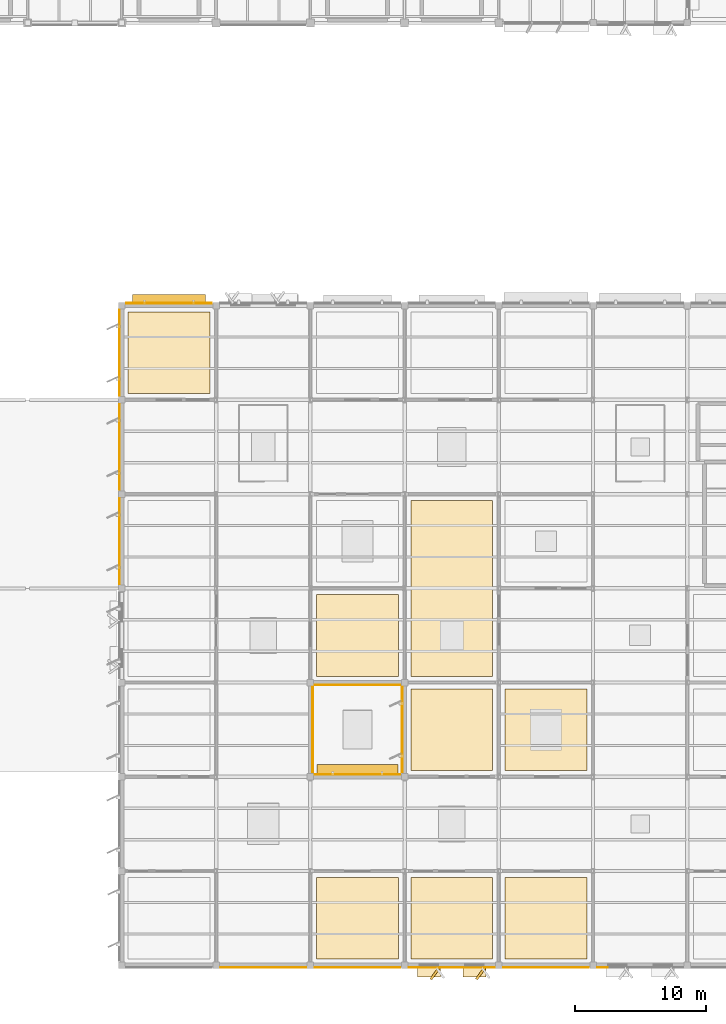
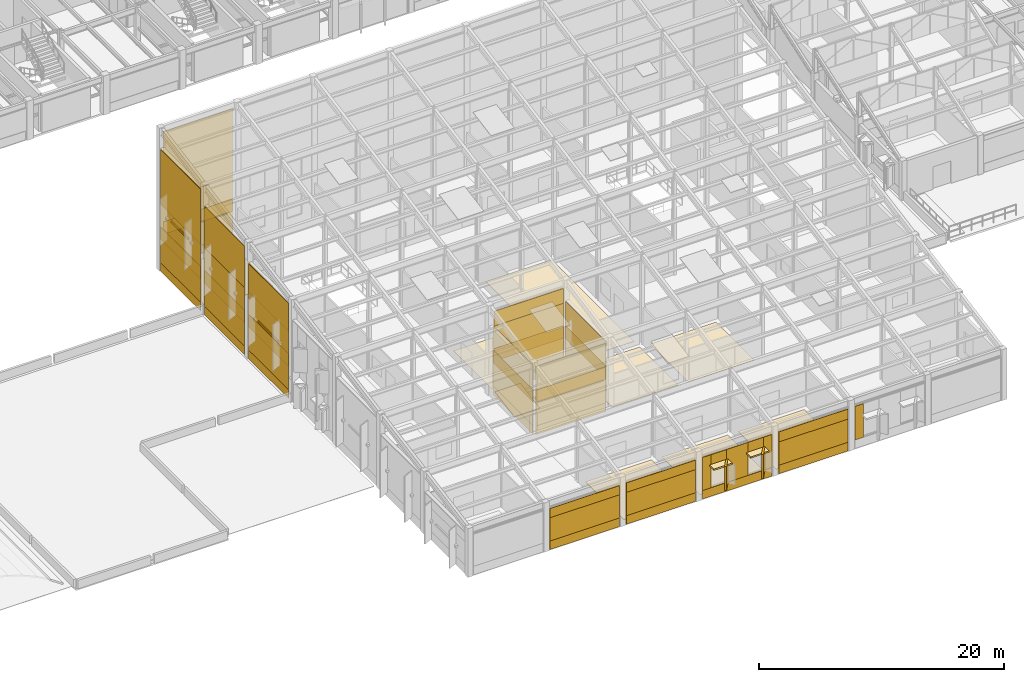
# One storey, part 73 of 82: 56 coverings, 4 shading devices.
"""IFC4 building model written with IfcOpenShell, lengths in metres."""

from ifc_helpers import new_model, si_unit, direction, frame, frame_2d, origin, origin_2d, place, context, subcontext, project, spatial, polyline, rectangle, outline, extrude, material, layer, layer_set, type_object, element, save


model = new_model("IFC4")

# Units and contexts
model_context = context("Model", 3, precision=1e-05, world=origin(), true_north=direction((0.0, 1.0)))
body_context = subcontext(model_context, "Body", "Model", "MODEL_VIEW")
ifc_project = project(units=[si_unit("LENGTHUNIT", "METRE"), si_unit("AREAUNIT", "SQUARE_METRE"), si_unit("VOLUMEUNIT", "CUBIC_METRE"), si_unit("PLANEANGLEUNIT", "RADIAN"), si_unit("MASSUNIT", "GRAM", prefix="KILO")], contexts=[model_context])

# Site, building, storey
site_placement = place(None, origin())
site = spatial("IfcSite", under=ifc_project, at=site_placement, CompositionType="ELEMENT")
building_placement = place(site_placement, origin())
building = spatial("IfcBuilding", under=site, at=building_placement, Name="Sillqori Civic Hall", CompositionType="ELEMENT")
storey_placement = place(building_placement, frame((0.0, 0.0, 14.10009765625)))
storey = spatial("IfcBuildingStorey", under=building, at=storey_placement, Name="L04", CompositionType="ELEMENT", Elevation=14.10009765625)

# Coverings
ifc_material_1 = material(Name="Cochabamba Honed Limestone Cladding", Category="masonry")
ifc_layer_1 = layer(ifc_material_1, 0.044921875)
ifc_layer_set_1 = layer_set([ifc_layer_1], Name="Cochabamba Honed Limestone Cladding")
covering_type_1 = type_object("IfcCoveringType", Name="COV-CLAD-LIME", PredefinedType="CLADDING", material=ifc_layer_set_1)
covering_1_placement = place(storey_placement, frame((64.6201171875, 36.330078125, 0.039794921875), z_axis=(0.0, 0.0, 1.0), x_axis=(0.0, 1.0, 0.0)))
element("IfcCovering", 1, at=covering_1_placement, inside=storey, type_object=covering_type_1, Name="L04 limestone spandrel cladding L04-09-05-W", PredefinedType="CLADDING", context=body_context, shape_type="SweptSolid", body=[
    extrude(rectangle(XDim=6.5400390625, YDim=0.044921875, at=frame_2d((3.27001953125, 0.0))), origin(), (0.0, 0.0, 1.0), 0.860107421875),
])
covering_2_placement = place(storey_placement, frame((64.6201171875, 36.330078125, 3.219970703125), z_axis=(0.0, 0.0, 1.0), x_axis=(0.0, 1.0, 0.0)))
element("IfcCovering", 2, at=covering_2_placement, inside=storey, type_object=covering_type_1, Name="L04 limestone mid-spandrel cladding L04-09-05-W", PredefinedType="CLADDING", context=body_context, shape_type="SweptSolid", body=[
    extrude(rectangle(XDim=6.5400390625, YDim=0.044921875, at=frame_2d((3.27001953125, 0.0))), origin(), (0.0, 0.0, 1.0), 1.260009765625),
])
covering_3_placement = place(storey_placement, frame((64.6201171875, 36.330078125, 6.719970703125), z_axis=(0.0, 0.0, 1.0), x_axis=(0.0, 1.0, 0.0)))
element("IfcCovering", 3, at=covering_3_placement, inside=storey, type_object=covering_type_1, Name="L04 limestone frieze cladding L04-09-05-W", PredefinedType="CLADDING", context=body_context, shape_type="SweptSolid", body=[
    extrude(rectangle(XDim=6.5400390625, YDim=0.044921875, at=frame_2d((3.27001953125, 0.0))), origin(), (0.0, 0.0, 1.0), 2.8046875),
])
covering_4_placement = place(storey_placement, frame((64.6201171875, 36.330078125, 0.89990234375), z_axis=(0.0, 0.0, 1.0), x_axis=(0.0, 1.0, 0.0)))
element("IfcCovering", 4, at=covering_4_placement, inside=storey, type_object=covering_type_1, Name="L04 Wedge Hall limestone pier cladding L04-09-05-W.1", PredefinedType="CLADDING", context=body_context, shape_type="SweptSolid", body=[
    extrude(rectangle(XDim=6.5400390625, YDim=0.044921875, at=frame_2d((3.27001953125, 0.0))), origin(), (0.0, 0.0, 1.0), 8.624755859375),
])
covering_5_placement = place(storey_placement, frame((64.6201171875, 43.530029296875, 0.039794921875), z_axis=(0.0, 0.0, 1.0), x_axis=(0.0, 1.0, 0.0)))
element("IfcCovering", 5, at=covering_5_placement, inside=storey, type_object=covering_type_1, Name="L04 limestone spandrel cladding L04-09-06-W", PredefinedType="CLADDING", context=body_context, shape_type="SweptSolid", body=[
    extrude(rectangle(XDim=6.5400390625, YDim=0.044921875, at=frame_2d((3.27001953125, 0.0))), origin(), (0.0, 0.0, 1.0), 0.860107421875),
])
covering_6_placement = place(storey_placement, frame((64.6201171875, 43.530029296875, 3.219970703125), z_axis=(0.0, 0.0, 1.0), x_axis=(0.0, 1.0, 0.0)))
element("IfcCovering", 6, at=covering_6_placement, inside=storey, type_object=covering_type_1, Name="L04 limestone mid-spandrel cladding L04-09-06-W", PredefinedType="CLADDING", context=body_context, shape_type="SweptSolid", body=[
    extrude(rectangle(XDim=6.5400390625, YDim=0.044921875, at=frame_2d((3.27001953125, 0.0))), origin(), (0.0, 0.0, 1.0), 1.260009765625),
])
covering_7_placement = place(storey_placement, frame((64.6201171875, 43.530029296875, 6.719970703125), z_axis=(0.0, 0.0, 1.0), x_axis=(0.0, 1.0, 0.0)))
element("IfcCovering", 7, at=covering_7_placement, inside=storey, type_object=covering_type_1, Name="L04 limestone frieze cladding L04-09-06-W", PredefinedType="CLADDING", context=body_context, shape_type="SweptSolid", body=[
    extrude(rectangle(XDim=6.5400390625, YDim=0.044921875, at=frame_2d((3.27001953125, 0.0))), origin(), (0.0, 0.0, 1.0), 4.1474609375),
])
covering_8_placement = place(storey_placement, frame((64.6201171875, 43.530029296875, 0.89990234375), z_axis=(0.0, 0.0, 1.0), x_axis=(0.0, 1.0, 0.0)))
element("IfcCovering", 8, at=covering_8_placement, inside=storey, type_object=covering_type_1, Name="L04 Wedge Hall limestone pier cladding L04-09-06-W.1", PredefinedType="CLADDING", context=body_context, shape_type="SweptSolid", body=[
    extrude(rectangle(XDim=6.5400390625, YDim=0.044921875, at=frame_2d((3.27001953125, 0.0))), origin(), (0.0, 0.0, 1.0), 9.967529296875),
])
covering_9_placement = place(storey_placement, frame((65.1298828125, 57.780029296875, 0.039794921875), z_axis=(0.0, 0.0, 1.0), x_axis=(1.0, 0.0, 0.0)))
element("IfcCovering", 9, at=covering_9_placement, inside=storey, type_object=covering_type_1, Name="L04 limestone spandrel cladding L04-09-07-N", PredefinedType="CLADDING", context=body_context, shape_type="SweptSolid", body=[
    extrude(rectangle(XDim=6.5400390625, YDim=0.044921875, at=frame_2d((3.27001953125, 0.0))), origin(), (0.0, 0.0, 1.0), 0.860107421875),
])
covering_10_placement = place(storey_placement, frame((65.1298828125, 57.780029296875, 3.219970703125), z_axis=(0.0, 0.0, 1.0), x_axis=(1.0, 0.0, 0.0)))
element("IfcCovering", 10, at=covering_10_placement, inside=storey, type_object=covering_type_1, Name="L04 limestone mid-spandrel cladding L04-09-07-N", PredefinedType="CLADDING", context=body_context, shape_type="SweptSolid", body=[
    extrude(rectangle(XDim=6.5400390625, YDim=0.044921875, at=frame_2d((3.27001953125, 0.0))), origin(), (0.0, 0.0, 1.0), 1.260009765625),
])
covering_11_placement = place(storey_placement, frame((65.1298828125, 57.780029296875, 6.719970703125), z_axis=(0.0, 0.0, 1.0), x_axis=(1.0, 0.0, 0.0)))
element("IfcCovering", 11, at=covering_11_placement, inside=storey, type_object=covering_type_1, Name="L04 limestone frieze cladding L04-09-07-N", PredefinedType="CLADDING", context=body_context, shape_type="SweptSolid", body=[
    extrude(rectangle(XDim=6.5400390625, YDim=0.044921875, at=frame_2d((3.27001953125, 0.0))), origin(), (0.0, 0.0, 1.0), 6.7890625),
])
covering_12_placement = place(storey_placement, frame((65.1298828125, 57.780029296875, 0.89990234375), z_axis=(0.0, 0.0, 1.0), x_axis=(1.0, 0.0, 0.0)))
element("IfcCovering", 12, at=covering_12_placement, inside=storey, type_object=covering_type_1, Name="L04 Wedge Hall limestone pier cladding L04-09-07-N.1", PredefinedType="CLADDING", context=body_context, shape_type="SweptSolid", body=[
    extrude(rectangle(XDim=6.5400390625, YDim=0.044921875, at=frame_2d((3.27001953125, 0.0))), origin(), (0.0, 0.0, 1.0), 12.609130859375),
])
covering_13_placement = place(storey_placement, frame((64.6201171875, 50.72998046875, 0.039794921875), z_axis=(0.0, 0.0, 1.0), x_axis=(0.0, 1.0, 0.0)))
element("IfcCovering", 13, at=covering_13_placement, inside=storey, type_object=covering_type_1, Name="L04 limestone spandrel cladding L04-09-07-W", PredefinedType="CLADDING", context=body_context, shape_type="SweptSolid", body=[
    extrude(rectangle(XDim=6.5400390625, YDim=0.044921875, at=frame_2d((3.27001953125, 0.0))), origin(), (0.0, 0.0, 1.0), 0.860107421875),
])
covering_14_placement = place(storey_placement, frame((64.6201171875, 50.72998046875, 3.219970703125), z_axis=(0.0, 0.0, 1.0), x_axis=(0.0, 1.0, 0.0)))
element("IfcCovering", 14, at=covering_14_placement, inside=storey, type_object=covering_type_1, Name="L04 limestone mid-spandrel cladding L04-09-07-W", PredefinedType="CLADDING", context=body_context, shape_type="SweptSolid", body=[
    extrude(rectangle(XDim=6.5400390625, YDim=0.044921875, at=frame_2d((3.27001953125, 0.0))), origin(), (0.0, 0.0, 1.0), 1.260009765625),
])
covering_15_placement = place(storey_placement, frame((64.6201171875, 50.72998046875, 6.719970703125), z_axis=(0.0, 0.0, 1.0), x_axis=(0.0, 1.0, 0.0)))
element("IfcCovering", 15, at=covering_15_placement, inside=storey, type_object=covering_type_1, Name="L04 limestone frieze cladding L04-09-07-W", PredefinedType="CLADDING", context=body_context, shape_type="SweptSolid", body=[
    extrude(rectangle(XDim=6.5400390625, YDim=0.044921875, at=frame_2d((3.27001953125, 0.0))), origin(), (0.0, 0.0, 1.0), 5.490478515625),
])
covering_16_placement = place(storey_placement, frame((64.6201171875, 50.72998046875, 0.89990234375), z_axis=(0.0, 0.0, 1.0), x_axis=(0.0, 1.0, 0.0)))
element("IfcCovering", 16, at=covering_16_placement, inside=storey, type_object=covering_type_1, Name="L04 Wedge Hall limestone pier cladding L04-09-07-W.1", PredefinedType="CLADDING", context=body_context, shape_type="SweptSolid", body=[
    extrude(rectangle(XDim=6.5400390625, YDim=0.044921875, at=frame_2d((3.27001953125, 0.0))), origin(), (0.0, 0.0, 1.0), 11.310546875),
])
covering_17_placement = place(storey_placement, frame((78.8701171875, 7.02001953125, 0.039794921875), z_axis=(0.0, 0.0, 1.0), x_axis=(-1.0, 0.0, 0.0)))
element("IfcCovering", 17, at=covering_17_placement, inside=storey, type_object=covering_type_1, Name="L04 limestone spandrel cladding L04-10-01-S", PredefinedType="CLADDING", context=body_context, shape_type="SweptSolid", body=[
    extrude(rectangle(XDim=6.5400390625, YDim=0.044921875, at=frame_2d((3.27001953125, 0.0))), origin(), (0.0, 0.0, 1.0), 0.860107421875),
])
covering_18_placement = place(storey_placement, frame((78.8701171875, 7.02001953125, 3.219970703125), z_axis=(0.0, 0.0, 1.0), x_axis=(-1.0, 0.0, 0.0)))
element("IfcCovering", 18, at=covering_18_placement, inside=storey, type_object=covering_type_1, Name="L04 limestone frieze cladding L04-10-01-S", PredefinedType="CLADDING", context=body_context, shape_type="SweptSolid", body=[
    extrude(rectangle(XDim=6.5400390625, YDim=0.044921875, at=frame_2d((3.27001953125, 0.0))), origin(), (0.0, 0.0, 1.0), 0.917724609375),
])
covering_19_placement = place(storey_placement, frame((78.8701171875, 7.02001953125, 0.89990234375), z_axis=(0.0, 0.0, 1.0), x_axis=(-1.0, 0.0, 0.0)))
element("IfcCovering", 19, at=covering_19_placement, inside=storey, type_object=covering_type_1, Name="L04 Wedge Hall limestone pier cladding L04-10-01-S.1", PredefinedType="CLADDING", context=body_context, shape_type="SweptSolid", body=[
    extrude(rectangle(XDim=6.5400390625, YDim=0.044921875, at=frame_2d((3.27001953125, 0.0))), origin(), (0.0, 0.0, 1.0), 3.23779296875),
])
covering_20_placement = place(storey_placement, frame((79.3798828125, 28.469970703125, 0.039794921875), z_axis=(0.0, 0.0, 1.0), x_axis=(0.0, -1.0, 0.0)))
element("IfcCovering", 20, at=covering_20_placement, inside=storey, type_object=covering_type_1, Name="L04 limestone spandrel cladding L04-10-03-E", PredefinedType="CLADDING", context=body_context, shape_type="SweptSolid", body=[
    extrude(rectangle(XDim=6.5400390625, YDim=0.044921875, at=frame_2d((3.27001953125, 0.0))), origin(), (0.0, 0.0, 1.0), 0.860107421875),
])
covering_21_placement = place(storey_placement, frame((79.3798828125, 28.469970703125, 3.219970703125), z_axis=(0.0, 0.0, 1.0), x_axis=(0.0, -1.0, 0.0)))
element("IfcCovering", 21, at=covering_21_placement, inside=storey, type_object=covering_type_1, Name="L04 limestone mid-spandrel cladding L04-10-03-E", PredefinedType="CLADDING", context=body_context, shape_type="SweptSolid", body=[
    extrude(rectangle(XDim=6.5400390625, YDim=0.044921875, at=frame_2d((3.27001953125, 0.0))), origin(), (0.0, 0.0, 1.0), 1.260009765625),
])
covering_22_placement = place(storey_placement, frame((79.3798828125, 28.469970703125, 0.89990234375), z_axis=(0.0, 0.0, 1.0), x_axis=(0.0, -1.0, 0.0)))
element("IfcCovering", 22, at=covering_22_placement, inside=storey, type_object=covering_type_1, Name="L04 Wedge Hall limestone pier cladding L04-10-03-E.1", PredefinedType="CLADDING", context=body_context, shape_type="SweptSolid", body=[
    extrude(rectangle(XDim=6.5400390625, YDim=0.044921875, at=frame_2d((3.27001953125, 0.0))), origin(), (0.0, 0.0, 1.0), 5.99609375),
])
covering_23_placement = place(storey_placement, frame((86.070068359375, 7.02001953125, 0.039794921875), z_axis=(0.0, 0.0, 1.0), x_axis=(-1.0, 0.0, 0.0)))
element("IfcCovering", 23, at=covering_23_placement, inside=storey, type_object=covering_type_1, Name="L04 limestone spandrel cladding L04-11-01-S", PredefinedType="CLADDING", context=body_context, shape_type="SweptSolid", body=[
    extrude(rectangle(XDim=6.5400390625, YDim=0.044921875, at=frame_2d((3.27001953125, 0.0))), origin(), (0.0, 0.0, 1.0), 0.860107421875),
])
covering_24_placement = place(storey_placement, frame((86.070068359375, 7.02001953125, 3.219970703125), z_axis=(0.0, 0.0, 1.0), x_axis=(-1.0, 0.0, 0.0)))
element("IfcCovering", 24, at=covering_24_placement, inside=storey, type_object=covering_type_1, Name="L04 limestone frieze cladding L04-11-01-S", PredefinedType="CLADDING", context=body_context, shape_type="SweptSolid", body=[
    extrude(rectangle(XDim=6.5400390625, YDim=0.044921875, at=frame_2d((3.27001953125, 0.0))), origin(), (0.0, 0.0, 1.0), 0.9462890625),
])
covering_25_placement = place(storey_placement, frame((86.070068359375, 7.02001953125, 0.89990234375), z_axis=(0.0, 0.0, 1.0), x_axis=(-1.0, 0.0, 0.0)))
element("IfcCovering", 25, at=covering_25_placement, inside=storey, type_object=covering_type_1, Name="L04 Wedge Hall limestone pier cladding L04-11-01-S.1", PredefinedType="CLADDING", context=body_context, shape_type="SweptSolid", body=[
    extrude(rectangle(XDim=6.5400390625, YDim=0.044921875, at=frame_2d((3.27001953125, 0.0))), origin(), (0.0, 0.0, 1.0), 3.266357421875),
])
covering_26_placement = place(storey_placement, frame((79.530029296875, 21.780029296875, 0.039794921875), z_axis=(0.0, 0.0, 1.0), x_axis=(1.0, 0.0, 0.0)))
element("IfcCovering", 26, at=covering_26_placement, inside=storey, type_object=covering_type_1, Name="L04 limestone spandrel cladding L04-11-02-N", PredefinedType="CLADDING", context=body_context, shape_type="SweptSolid", body=[
    extrude(rectangle(XDim=6.5400390625, YDim=0.044921875, at=frame_2d((3.27001953125, 0.0))), origin(), (0.0, 0.0, 1.0), 0.860107421875),
])
covering_27_placement = place(storey_placement, frame((79.530029296875, 21.780029296875, 3.219970703125), z_axis=(0.0, 0.0, 1.0), x_axis=(1.0, 0.0, 0.0)))
element("IfcCovering", 27, at=covering_27_placement, inside=storey, type_object=covering_type_1, Name="L04 limestone mid-spandrel cladding L04-11-02-N", PredefinedType="CLADDING", context=body_context, shape_type="SweptSolid", body=[
    extrude(rectangle(XDim=6.5400390625, YDim=0.044921875, at=frame_2d((3.27001953125, 0.0))), origin(), (0.0, 0.0, 1.0), 1.260009765625),
])
covering_28_placement = place(storey_placement, frame((79.530029296875, 21.780029296875, 0.89990234375), z_axis=(0.0, 0.0, 1.0), x_axis=(1.0, 0.0, 0.0)))
element("IfcCovering", 28, at=covering_28_placement, inside=storey, type_object=covering_type_1, Name="L04 Wedge Hall limestone pier cladding L04-11-02-N.1", PredefinedType="CLADDING", context=body_context, shape_type="SweptSolid", body=[
    extrude(rectangle(XDim=6.5400390625, YDim=0.044921875, at=frame_2d((3.27001953125, 0.0))), origin(), (0.0, 0.0, 1.0), 5.951904296875),
])
covering_29_placement = place(storey_placement, frame((86.070068359375, 28.6201171875, 0.039794921875), z_axis=(0.0, 0.0, 1.0), x_axis=(-1.0, 0.0, 0.0)))
element("IfcCovering", 29, at=covering_29_placement, inside=storey, type_object=covering_type_1, Name="L04 limestone spandrel cladding L04-11-04-S", PredefinedType="CLADDING", context=body_context, shape_type="SweptSolid", body=[
    extrude(rectangle(XDim=6.5400390625, YDim=0.044921875, at=frame_2d((3.27001953125, 0.0))), origin(), (0.0, 0.0, 1.0), 0.860107421875),
])
covering_30_placement = place(storey_placement, frame((86.070068359375, 28.6201171875, 3.219970703125), z_axis=(0.0, 0.0, 1.0), x_axis=(-1.0, 0.0, 0.0)))
element("IfcCovering", 30, at=covering_30_placement, inside=storey, type_object=covering_type_1, Name="L04 limestone mid-spandrel cladding L04-11-04-S", PredefinedType="CLADDING", context=body_context, shape_type="SweptSolid", body=[
    extrude(rectangle(XDim=6.5400390625, YDim=0.044921875, at=frame_2d((3.27001953125, 0.0))), origin(), (0.0, 0.0, 1.0), 1.260009765625),
])
covering_31_placement = place(storey_placement, frame((86.070068359375, 28.6201171875, 6.719970703125), z_axis=(0.0, 0.0, 1.0), x_axis=(-1.0, 0.0, 0.0)))
element("IfcCovering", 31, at=covering_31_placement, inside=storey, type_object=covering_type_1, Name="L04 limestone frieze cladding L04-11-04-S", PredefinedType="CLADDING", context=body_context, shape_type="SweptSolid", body=[
    extrude(rectangle(XDim=6.5400390625, YDim=0.044921875, at=frame_2d((3.27001953125, 0.0))), origin(), (0.0, 0.0, 1.0), 1.474853515625),
])
covering_32_placement = place(storey_placement, frame((86.070068359375, 28.6201171875, 0.89990234375), z_axis=(0.0, 0.0, 1.0), x_axis=(-1.0, 0.0, 0.0)))
element("IfcCovering", 32, at=covering_32_placement, inside=storey, type_object=covering_type_1, Name="L04 Wedge Hall limestone pier cladding L04-11-04-S.1", PredefinedType="CLADDING", context=body_context, shape_type="SweptSolid", body=[
    extrude(rectangle(XDim=6.5400390625, YDim=0.044921875, at=frame_2d((3.27001953125, 0.0))), origin(), (0.0, 0.0, 1.0), 7.294921875),
])
covering_33_placement = place(storey_placement, frame((93.27001953125, 7.02001953125, 0.039794921875), z_axis=(0.0, 0.0, 1.0), x_axis=(-1.0, 0.0, 0.0)))
element("IfcCovering", 33, at=covering_33_placement, inside=storey, type_object=covering_type_1, Name="L04 limestone spandrel cladding L04-12-01-S", PredefinedType="CLADDING", context=body_context, shape_type="SweptSolid", body=[
    extrude(rectangle(XDim=6.5400390625, YDim=0.044921875, at=frame_2d((3.27001953125, 0.0))), origin(), (0.0, 0.0, 1.0), 0.860107421875),
])
covering_34_placement = place(storey_placement, frame((93.27001953125, 7.02001953125, 3.219970703125), z_axis=(0.0, 0.0, 1.0), x_axis=(-1.0, 0.0, 0.0)))
element("IfcCovering", 34, at=covering_34_placement, inside=storey, type_object=covering_type_1, Name="L04 limestone frieze cladding L04-12-01-S", PredefinedType="CLADDING", context=body_context, shape_type="SweptSolid", body=[
    extrude(rectangle(XDim=6.5400390625, YDim=0.044921875, at=frame_2d((3.27001953125, 0.0))), origin(), (0.0, 0.0, 1.0), 0.974853515625),
])
covering_35_placement = place(storey_placement, frame((93.27001953125, 7.02001953125, 0.89990234375), z_axis=(0.0, 0.0, 1.0), x_axis=(-1.0, 0.0, 0.0)))
element("IfcCovering", 35, at=covering_35_placement, inside=storey, type_object=covering_type_1, Name="L04 Wedge Hall limestone pier cladding L04-12-01-S.1", PredefinedType="CLADDING", context=body_context, shape_type="SweptSolid", body=[
    extrude(rectangle(XDim=0.7880859375, YDim=0.044921875, at=frame_2d((0.39404296875, 0.0))), origin(), (0.0, 0.0, 1.0), 3.294921875),
])
covering_36_placement = place(storey_placement, frame((91.001953125, 7.02001953125, 0.89990234375), z_axis=(0.0, 0.0, 1.0), x_axis=(-1.0, 0.0, 0.0)))
element("IfcCovering", 36, at=covering_36_placement, inside=storey, type_object=covering_type_1, Name="L04 Wedge Hall limestone pier cladding L04-12-01-S.2", PredefinedType="CLADDING", context=body_context, shape_type="SweptSolid", body=[
    extrude(rectangle(XDim=2.00390625, YDim=0.044921875, at=frame_2d((1.001953125, 0.0))), origin(), (0.0, 0.0, 1.0), 3.294921875),
])
covering_37_placement = place(storey_placement, frame((87.51806640625, 7.02001953125, 0.89990234375), z_axis=(0.0, 0.0, 1.0), x_axis=(-1.0, 0.0, 0.0)))
element("IfcCovering", 37, at=covering_37_placement, inside=storey, type_object=covering_type_1, Name="L04 Wedge Hall limestone pier cladding L04-12-01-S.3", PredefinedType="CLADDING", context=body_context, shape_type="SweptSolid", body=[
    extrude(rectangle(XDim=0.7880859375, YDim=0.044921875, at=frame_2d((0.39404296875, 0.0))), origin(), (0.0, 0.0, 1.0), 3.294921875),
])
covering_38_placement = place(storey_placement, frame((92.56201171875, 7.06005859375, 0.829833984375), z_axis=(0.0, 0.0, 1.0), x_axis=(-0.587805596445, -0.809002213092, 0.0)))
element("IfcCovering", 38, at=covering_38_placement, inside=storey, type_object=covering_type_1, Name="Sawtooth limestone angled reveal cheek L04-12-01-S.1", PredefinedType="CLADDING", context=body_context, shape_type="SweptSolid", body=[
    extrude(rectangle(XDim=1.150146484375, YDim=0.179931640625, at=frame_2d((0.5751953125, 0.0))), origin(), (0.0, 0.0, 1.0), 2.400146484375),
])
covering_39_placement = place(storey_placement, frame((92.6220703125, 6.679931640625, 3.08984375), z_axis=(0.0, 0.0, 1.0), x_axis=(-1.0, 0.0, 0.0)))
element("IfcCovering", 39, at=covering_39_placement, inside=storey, type_object=covering_type_1, Name="Sawtooth limestone window hood L04-12-01-S.1", PredefinedType="CLADDING", context=body_context, shape_type="SweptSolid", body=[
    extrude(rectangle(XDim=1.760009765625, YDim=0.780029296875, at=frame_2d((0.8798828125, 0.0))), origin(), (0.0, 0.0, 1.0), 0.14013671875),
])
covering_40_placement = place(storey_placement, frame((89.077880859375, 7.06005859375, 0.829833984375), z_axis=(0.0, 0.0, 1.0), x_axis=(-0.587666635914, -0.809103160934, 0.0)))
element("IfcCovering", 40, at=covering_40_placement, inside=storey, type_object=covering_type_1, Name="Sawtooth limestone angled reveal cheek L04-12-01-S.2", PredefinedType="CLADDING", context=body_context, shape_type="SweptSolid", body=[
    extrude(rectangle(XDim=1.14990234375, YDim=0.179931640625, at=frame_2d((0.574951171875, 0.0))), origin(), (0.0, 0.0, 1.0), 2.400146484375),
])
covering_41_placement = place(storey_placement, frame((89.137939453125, 6.679931640625, 3.08984375), z_axis=(0.0, 0.0, 1.0), x_axis=(-1.0, 0.0, 0.0)))
element("IfcCovering", 41, at=covering_41_placement, inside=storey, type_object=covering_type_1, Name="Sawtooth limestone window hood L04-12-01-S.2", PredefinedType="CLADDING", context=body_context, shape_type="SweptSolid", body=[
    extrude(rectangle(XDim=1.760009765625, YDim=0.780029296875, at=frame_2d((0.8798828125, 0.0))), origin(), (0.0, 0.0, 1.0), 0.14013671875),
])
covering_42_placement = place(storey_placement, frame((86.219970703125, 21.929931640625, 0.039794921875), z_axis=(0.0, 0.0, 1.0), x_axis=(0.0, 1.0, 0.0)))
element("IfcCovering", 42, at=covering_42_placement, inside=storey, type_object=covering_type_1, Name="L04 limestone spandrel cladding L04-12-03-W", PredefinedType="CLADDING", context=body_context, shape_type="SweptSolid", body=[
    extrude(rectangle(XDim=6.5400390625, YDim=0.044921875, at=frame_2d((3.27001953125, 0.0))), origin(), (0.0, 0.0, 1.0), 0.860107421875),
])
covering_43_placement = place(storey_placement, frame((86.219970703125, 21.929931640625, 3.219970703125), z_axis=(0.0, 0.0, 1.0), x_axis=(0.0, 1.0, 0.0)))
element("IfcCovering", 43, at=covering_43_placement, inside=storey, type_object=covering_type_1, Name="L04 limestone mid-spandrel cladding L04-12-03-W", PredefinedType="CLADDING", context=body_context, shape_type="SweptSolid", body=[
    extrude(rectangle(XDim=6.5400390625, YDim=0.044921875, at=frame_2d((3.27001953125, 0.0))), origin(), (0.0, 0.0, 1.0), 1.260009765625),
])
covering_44_placement = place(storey_placement, frame((86.219970703125, 21.929931640625, 0.89990234375), z_axis=(0.0, 0.0, 1.0), x_axis=(0.0, 1.0, 0.0)))
element("IfcCovering", 44, at=covering_44_placement, inside=storey, type_object=covering_type_1, Name="L04 Wedge Hall limestone pier cladding L04-12-03-W.1", PredefinedType="CLADDING", context=body_context, shape_type="SweptSolid", body=[
    extrude(rectangle(XDim=6.5400390625, YDim=0.044921875, at=frame_2d((3.27001953125, 0.0))), origin(), (0.0, 0.0, 1.0), 6.02490234375),
])
covering_45_placement = place(storey_placement, frame((100.469970703125, 7.02001953125, 0.039794921875), z_axis=(0.0, 0.0, 1.0), x_axis=(-1.0, 0.0, 0.0)))
element("IfcCovering", 45, at=covering_45_placement, inside=storey, type_object=covering_type_1, Name="L04 limestone spandrel cladding L04-13-01-S", PredefinedType="CLADDING", context=body_context, shape_type="SweptSolid", body=[
    extrude(rectangle(XDim=6.5400390625, YDim=0.044921875, at=frame_2d((3.27001953125, 0.0))), origin(), (0.0, 0.0, 1.0), 0.860107421875),
])
covering_46_placement = place(storey_placement, frame((100.469970703125, 7.02001953125, 3.219970703125), z_axis=(0.0, 0.0, 1.0), x_axis=(-1.0, 0.0, 0.0)))
element("IfcCovering", 46, at=covering_46_placement, inside=storey, type_object=covering_type_1, Name="L04 limestone frieze cladding L04-13-01-S", PredefinedType="CLADDING", context=body_context, shape_type="SweptSolid", body=[
    extrude(rectangle(XDim=6.5400390625, YDim=0.044921875, at=frame_2d((3.27001953125, 0.0))), origin(), (0.0, 0.0, 1.0), 1.00341796875),
])
covering_47_placement = place(storey_placement, frame((100.469970703125, 7.02001953125, 0.89990234375), z_axis=(0.0, 0.0, 1.0), x_axis=(-1.0, 0.0, 0.0)))
element("IfcCovering", 47, at=covering_47_placement, inside=storey, type_object=covering_type_1, Name="L04 Wedge Hall limestone pier cladding L04-13-01-S.1", PredefinedType="CLADDING", context=body_context, shape_type="SweptSolid", body=[
    extrude(rectangle(XDim=6.5400390625, YDim=0.044921875, at=frame_2d((3.27001953125, 0.0))), origin(), (0.0, 0.0, 1.0), 3.323486328125),
])
covering_48_placement = place(storey_placement, frame((101.91796875, 7.02001953125, 0.89990234375), z_axis=(0.0, 0.0, 1.0), x_axis=(-1.0, 0.0, 0.0)))
element("IfcCovering", 48, at=covering_48_placement, inside=storey, type_object=covering_type_1, Name="L04 Wedge Hall limestone pier cladding L04-14-01-S.3", PredefinedType="CLADDING", context=body_context, shape_type="SweptSolid", body=[
    extrude(rectangle(XDim=0.7880859375, YDim=0.044921875, at=frame_2d((0.39404296875, 0.0))), origin(), (0.0, 0.0, 1.0), 3.35205078125),
])
ifc_material_2 = material(Name="Dust-Sealed Heavy-Duty Archive Epoxy", Category="resin")
ifc_layer_2 = layer(ifc_material_2, 0.014892578125)
ifc_layer_set_2 = layer_set([ifc_layer_2], Name="Dust-Sealed Heavy-Duty Archive Epoxy")
covering_type_2 = type_object("IfcCoveringType", Name="COV-FLR-EPX", PredefinedType="FLOORING", material=ifc_layer_set_2)
covering_49_placement = place(storey_placement, origin())
element("IfcCovering", 49, at=covering_49_placement, inside=storey, type_object=covering_type_2, Name="Metropolitan Regional Assembly Forum L04-14 floor finish", PredefinedType="FLOORING", context=body_context, shape_type="SweptSolid", body=[
    extrude(outline(polyline([(94.080078125, 22.080078125), (100.320068359375, 22.080078125), (100.320068359375, 28.320068359375), (94.080078125, 28.320068359375), (94.080078125, 22.080078125)])), origin(), (0.0, 0.0, 1.0), 0.014892578125),
])
ifc_material_3 = material(Name="Slip-Resistant R11 Porcelain Tile", Category="ceramic")
ifc_layer_3 = layer(ifc_material_3, 0.02001953125)
ifc_layer_set_3 = layer_set([ifc_layer_3], Name="Slip-Resistant R11 Porcelain Tile")
covering_type_3 = type_object("IfcCoveringType", Name="COV-FLR-POR", PredefinedType="FLOORING", material=ifc_layer_set_3)
covering_50_placement = place(storey_placement, origin())
element("IfcCovering", 50, at=covering_50_placement, inside=storey, type_object=covering_type_3, Name="Wedge Sky-Lit Public Exhibition Hall L04-13 floor finish", PredefinedType="FLOORING", context=body_context, shape_type="SweptSolid", body=[
    extrude(outline(polyline([(94.080078125, 7.679931640625), (100.320068359375, 7.679931640625), (100.320068359375, 13.919921875), (94.080078125, 13.919921875), (94.080078125, 7.679931640625)])), origin(), (0.0, 0.0, 1.0), 0.02001953125),
])
ifc_material_4 = material(Name="Seamless Polyurethane Acoustic Screed 12", Category="resin")
ifc_layer_4 = layer(ifc_material_4, 0.011962890625)
ifc_layer_set_4 = layer_set([ifc_layer_4], Name="Seamless Polyurethane Acoustic Screed 12")
covering_type_4 = type_object("IfcCoveringType", Name="COV-FLR-R12", PredefinedType="FLOORING", material=ifc_layer_set_4)
covering_51_placement = place(storey_placement, origin())
element("IfcCovering", 51, at=covering_51_placement, inside=storey, type_object=covering_type_4, Name="Wedge Sky-Lit Public Exhibition Hall L04-09 floor finish", PredefinedType="FLOORING", context=body_context, shape_type="SweptSolid", body=[
    extrude(outline(polyline([(86.8798828125, 7.679931640625), (93.1201171875, 7.679931640625), (93.1201171875, 13.919921875), (86.8798828125, 13.919921875), (86.8798828125, 7.679931640625)])), origin(), (0.0, 0.0, 1.0), 0.011962890625),
])
ifc_material_5 = material(Name="Honed Comanche Sandstone Paving 44", Category="masonry")
ifc_layer_5 = layer(ifc_material_5, 0.0439453125)
ifc_layer_set_5 = layer_set([ifc_layer_5], Name="Honed Comanche Sandstone Paving 44")
covering_type_5 = type_object("IfcCoveringType", Name="COV-FLR-S44", PredefinedType="FLOORING", material=ifc_layer_set_5)
covering_52_placement = place(storey_placement, origin())
element("IfcCovering", 52, at=covering_52_placement, inside=storey, type_object=covering_type_5, Name="Civic Architecture Model Gallery floor finish", PredefinedType="FLOORING", context=body_context, shape_type="SweptSolid", body=[
    extrude(outline(polyline([(65.280029296875, 50.8798828125), (71.52001953125, 50.8798828125), (71.52001953125, 57.1201171875), (65.280029296875, 57.1201171875), (65.280029296875, 50.8798828125)])), origin(), (0.0, 0.0, 1.0), 0.0439453125),
])
ifc_material_6 = material(Name="Heavy Hall Basalt Terrazzo 56", Category="masonry")
ifc_layer_6 = layer(ifc_material_6, 0.055908203125)
ifc_layer_set_6 = layer_set([ifc_layer_6], Name="Heavy Hall Basalt Terrazzo 56")
covering_type_6 = type_object("IfcCoveringType", Name="COV-FLR-S56", PredefinedType="FLOORING", material=ifc_layer_set_6)
covering_53_placement = place(storey_placement, origin())
element("IfcCovering", 53, at=covering_53_placement, inside=storey, type_object=covering_type_6, Name="Wedge Sky-Lit Public Exhibition Hall L04-05 floor finish", PredefinedType="FLOORING", context=body_context, shape_type="SweptSolid", body=[
    extrude(outline(polyline([(79.679931640625, 7.679931640625), (85.919921875, 7.679931640625), (85.919921875, 13.919921875), (79.679931640625, 13.919921875), (79.679931640625, 7.679931640625)])), origin(), (0.0, 0.0, 1.0), 0.055908203125),
])
ifc_material_7 = material(Name="Raised Access Technical Floor Panel 62", Category="stone")
ifc_layer_7 = layer(ifc_material_7, 0.06201171875)
ifc_layer_set_7 = layer_set([ifc_layer_7], Name="Raised Access Technical Floor Panel 62")
covering_type_7 = type_object("IfcCoveringType", Name="COV-FLR-S62", PredefinedType="FLOORING", material=ifc_layer_set_7)
covering_54_placement = place(storey_placement, origin())
element("IfcCovering", 54, at=covering_54_placement, inside=storey, type_object=covering_type_7, Name="Metropolitan Regional Assembly Forum L04-10 floor finish", PredefinedType="FLOORING", context=body_context, shape_type="SweptSolid", body=[
    extrude(outline(polyline([(86.8798828125, 22.080078125), (93.1201171875, 22.080078125), (93.1201171875, 28.320068359375), (86.8798828125, 28.320068359375), (86.8798828125, 22.080078125)])), origin(), (0.0, 0.0, 1.0), 0.06201171875),
])
ifc_material_8 = material(Name="Tajibo Parquet Strip Flooring 22", Category="timber")
ifc_layer_8 = layer(ifc_material_8, 0.02197265625)
ifc_layer_set_8 = layer_set([ifc_layer_8], Name="Tajibo Parquet Strip Flooring 22")
covering_type_8 = type_object("IfcCoveringType", Name="COV-FLR-T22", PredefinedType="FLOORING", material=ifc_layer_set_8)
covering_55_placement = place(storey_placement, origin())
element("IfcCovering", 55, at=covering_55_placement, inside=storey, type_object=covering_type_8, Name="Metropolitan Regional Assembly Forum L04-06 floor finish", PredefinedType="FLOORING", context=body_context, shape_type="SweptSolid", body=[
    extrude(outline(polyline([(79.679931640625, 29.280029296875), (85.919921875, 29.280029296875), (85.919921875, 35.52001953125), (79.679931640625, 35.52001953125), (79.679931640625, 29.280029296875)])), origin(), (0.0, 0.0, 1.0), 0.02197265625),
])
ifc_material_9 = material(Name="Honed Cochabamba Limestone Terrazzo", Category="masonry")
ifc_layer_9 = layer(ifc_material_9, 0.031982421875)
ifc_layer_set_9 = layer_set([ifc_layer_9], Name="Honed Cochabamba Limestone Terrazzo")
covering_type_9 = type_object("IfcCoveringType", Name="COV-FLR-TRZ", PredefinedType="FLOORING", material=ifc_layer_set_9)
covering_56_placement = place(storey_placement, origin())
element("IfcCovering", 56, at=covering_56_placement, inside=storey, type_object=covering_type_9, Name="Citizen Innovation and Open-Data Studio L04-11 floor finish", PredefinedType="FLOORING", context=body_context, shape_type="SweptSolid", body=[
    extrude(outline(polyline([(86.8798828125, 29.280029296875), (93.1201171875, 29.280029296875), (93.1201171875, 42.719970703125), (86.8798828125, 42.719970703125), (86.8798828125, 29.280029296875)])), origin(), (0.0, 0.0, 1.0), 0.031982421875),
])

# Shading devices
ifc_material_10 = material(Name="Anodized Aluminium Solar Control Louvre", Category="aluminium")
shading_device_type_1 = type_object("IfcShadingDeviceType", Name="SHD-CLAU-280", PredefinedType="SHUTTER", material=ifc_material_10)
shading_device_1_placement = place(storey_placement, frame((64.580078125, 54.0, 6.044921875), z_axis=(0.0, 0.0, 1.0), x_axis=(0.0, 1.0, 0.0)))
element("IfcShadingDevice", 57, at=shading_device_1_placement, inside=storey, type_object=shading_device_type_1, Name="L04 pierced claustra screen L04-09-07-W", PredefinedType="SHUTTER", context=body_context, shape_type="SweptSolid", body=[
    extrude(rectangle(XDim=2.800048828125, YDim=0.159912109375, at=origin_2d()), origin(), (0.0, 0.0, 1.0), 0.159912109375),
])
shading_device_type_2 = type_object("IfcShadingDeviceType", Name="SHD-CLAU-320", PredefinedType="SHUTTER", material=ifc_material_10)
shading_device_2_placement = place(storey_placement, frame((64.580078125, 39.60009765625, 4.7021484375), z_axis=(0.0, 0.0, 1.0), x_axis=(0.0, 1.0, 0.0)))
element("IfcShadingDevice", 58, at=shading_device_2_placement, inside=storey, type_object=shading_device_type_2, Name="L04 pierced claustra screen L04-09-05-W", PredefinedType="SHUTTER", context=body_context, shape_type="SweptSolid", body=[
    extrude(rectangle(XDim=3.199951171875, YDim=0.159912109375, at=origin_2d()), origin(), (0.0, 0.0, 1.0), 0.159912109375),
])
shading_device_type_3 = type_object("IfcShadingDeviceType", Name="SHD-HOOD-560", PredefinedType="JALOUSIE", material=ifc_material_10)
shading_device_3_placement = place(storey_placement, frame((68.39990234375, 58.10498046875, 3.169921875), z_axis=(0.0, 0.0, 1.0), x_axis=(1.0, 0.0, 0.0)))
element("IfcShadingDevice", 59, at=shading_device_3_placement, inside=storey, type_object=shading_device_type_3, Name="L04 north solar hood L04-09-07-N", PredefinedType="JALOUSIE", context=body_context, shape_type="SweptSolid", body=[
    extrude(rectangle(XDim=5.60009765625, YDim=0.719970703125, at=origin_2d()), origin(), (0.0, 0.0, 1.0), 0.139892578125),
])
shading_device_type_4 = type_object("IfcShadingDeviceType", Name="SHD-HOOD-620", PredefinedType="JALOUSIE", material=ifc_material_10)
shading_device_4_placement = place(storey_placement, frame((82.800048828125, 22.14501953125, 3.169921875), z_axis=(0.0, 0.0, 1.0), x_axis=(1.0, 0.0, 0.0)))
element("IfcShadingDevice", 60, at=shading_device_4_placement, inside=storey, type_object=shading_device_type_4, Name="L04 north solar hood L04-11-02-N", PredefinedType="JALOUSIE", context=body_context, shape_type="SweptSolid", body=[
    extrude(rectangle(XDim=6.199951171875, YDim=0.800048828125, at=origin_2d()), origin(), (0.0, 0.0, 1.0), 0.139892578125),
])

save(model, "model.ifc")
